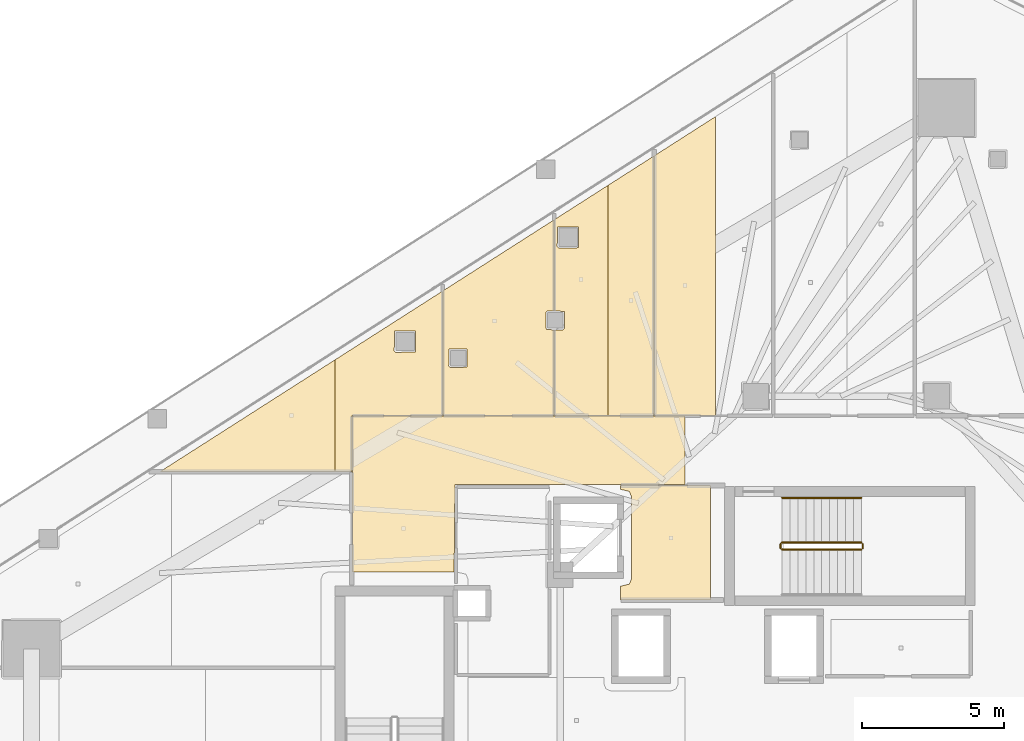
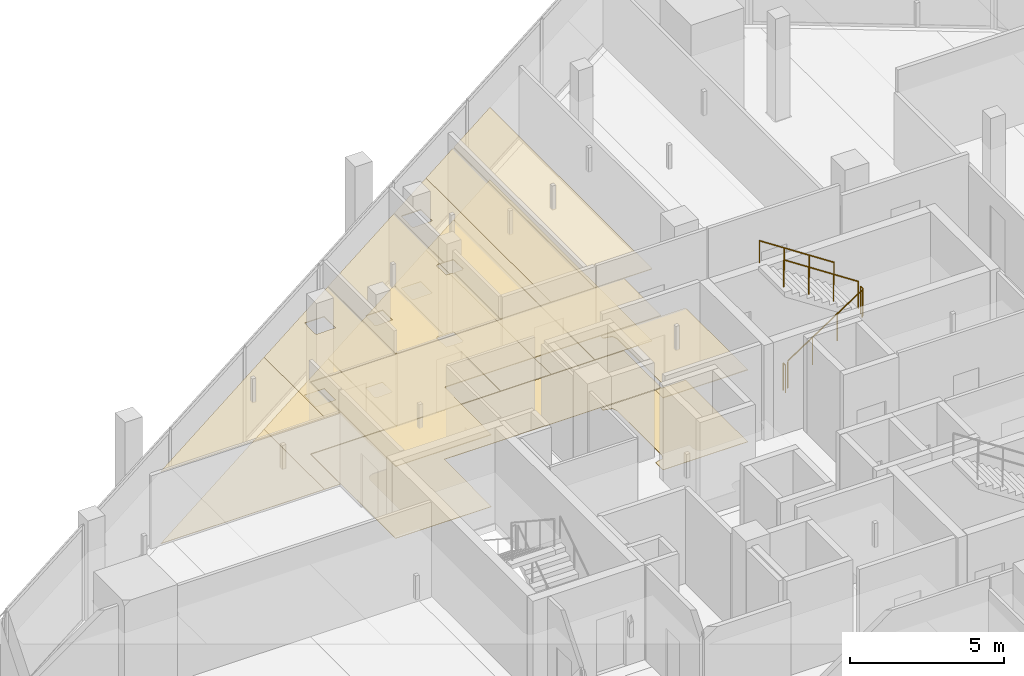
# One storey, part 32 of 33: 16 coverings, 5 railings.
"""IFC4 building model written with IfcOpenShell, lengths in metres."""

from ifc_helpers import new_model, si_unit, direction, frame, origin, origin_2d, place, context, subcontext, project, spatial, polyline, circle, outline, extrude, material, layer, layer_set, type_object, element, save


model = new_model("IFC4")

# Units and contexts
model_context = context("Model", 3, precision=1e-05, world=origin(), true_north=direction((0.0, 1.0)))
body_context = subcontext(model_context, "Body", "Model", "MODEL_VIEW")
ifc_project = project(units=[si_unit("LENGTHUNIT", "METRE"), si_unit("AREAUNIT", "SQUARE_METRE"), si_unit("VOLUMEUNIT", "CUBIC_METRE"), si_unit("PLANEANGLEUNIT", "RADIAN"), si_unit("MASSUNIT", "GRAM", prefix="KILO")], contexts=[model_context])

# Site, building, storey
site_placement = place(None, origin())
site = spatial("IfcSite", under=ifc_project, at=site_placement, CompositionType="ELEMENT")
building_placement = place(site_placement, origin())
building = spatial("IfcBuilding", under=site, at=building_placement, Name="Qorvath Tower", CompositionType="ELEMENT")
storey_placement = place(building_placement, frame((0.0, 0.0, 209.10009765625)))
storey = spatial("IfcBuildingStorey", under=building, at=storey_placement, Name="L48", CompositionType="ELEMENT", Elevation=209.10009765625)

# Coverings
ifc_material_1 = material(Name="Acoustic mineral fibre ceiling tile", Category="gypsum")
ifc_layer_1 = layer(ifc_material_1, 0.030029296875)
ifc_layer_set_1 = layer_set([ifc_layer_1], Name="COV-CEIL")
covering_type_1 = type_object("IfcCoveringType", Name="COV-CEIL", PredefinedType="CEILING", material=ifc_layer_set_1)
covering_1_placement = place(storey_placement, frame((0.0, 0.0, 2.849853515625)))
element("IfcCovering", 1, at=covering_1_placement, inside=storey, type_object=covering_type_1, Name="L48 Suspended Acoustic Ceiling 001", PredefinedType="CEILING", context=body_context, shape_type="SweptSolid", body=[
    extrude(outline(polyline([(-25.18994140625, 4.2548828125), (-25.18994140625, 8.294921875), (-28.375, 8.294921875), (-28.375, 8.159912109375), (-28.063232421875, 8.086669921875), (-27.989990234375, 7.909912109375), (-27.989990234375, 4.989990234375), (-28.063232421875, 4.813232421875), (-28.375, 4.739990234375), (-28.375, 4.2548828125), (-25.18994140625, 4.2548828125)])), origin(), (0.0, 0.0, 1.0), 0.030029296875),
])
covering_2_placement = place(storey_placement, frame((0.0, 0.0, 2.849853515625)))
element("IfcCovering", 2, at=covering_2_placement, inside=storey, type_object=covering_type_1, Name="L48 Suspended Acoustic Ceiling 008", PredefinedType="CEILING", context=body_context, shape_type="SweptSolid", body=[
    extrude(outline(polyline([(-26.09521484375, 8.324951171875), (-26.09521484375, 10.7451171875), (-37.844970703125, 10.7451171875), (-37.844970703125, 5.239990234375), (-34.2509765625, 5.239990234375), (-34.219970703125, 8.324951171875), (-26.09521484375, 8.324951171875)])), origin(), (0.0, 0.0, 1.0), 0.030029296875),
])
covering_3_placement = place(storey_placement, frame((0.0, 0.0, 2.849853515625)))
element("IfcCovering", 3, at=covering_3_placement, inside=storey, type_object=covering_type_1, Name="L48 Suspended Acoustic Ceiling 010", PredefinedType="CEILING", context=body_context, shape_type="SweptSolid", body=[
    extrude(outline(polyline([(-30.72607421875, 17.6728515625), (-34.64501953125, 15.16796875), (-34.64501953125, 10.762939453125), (-30.72607421875, 10.762939453125), (-30.72607421875, 13.789306640625), (-30.99462890625, 13.806884765625), (-31.01220703125, 14.3994140625), (-30.9521484375, 14.459228515625), (-30.72607421875, 14.459228515625), (-30.72607421875, 17.6728515625)]), holes=[polyline([(-34.421630859375, 13.10986328125), (-33.786865234375, 13.10986328125), (-33.786865234375, 12.47509765625), (-34.379150390625, 12.45751953125), (-34.439208984375, 12.517578125), (-34.421630859375, 13.10986328125)])]), origin(), (0.0, 0.0, 1.0), 0.030029296875),
])
covering_4_placement = place(storey_placement, frame((0.0, 0.0, 2.849853515625)))
element("IfcCovering", 4, at=covering_4_placement, inside=storey, type_object=covering_type_1, Name="L48 Suspended Acoustic Ceiling 011", PredefinedType="CEILING", context=body_context, shape_type="SweptSolid", body=[
    extrude(outline(polyline([(-28.82373046875, 10.762939453125), (-28.82373046875, 18.888671875), (-30.7080078125, 17.684326171875), (-30.7080078125, 14.459228515625), (-30.35986328125, 14.441650390625), (-30.34228515625, 13.849365234375), (-30.402099609375, 13.789306640625), (-30.7080078125, 13.789306640625), (-30.7080078125, 10.762939453125), (-28.82373046875, 10.762939453125)]), holes=[polyline([(-30.60986328125, 16.734619140625), (-30.59228515625, 17.427001953125), (-29.857421875, 17.427001953125), (-29.857421875, 16.692138671875), (-30.5498046875, 16.674560546875), (-30.60986328125, 16.734619140625)])]), origin(), (0.0, 0.0, 1.0), 0.030029296875),
])
covering_5_placement = place(storey_placement, frame((0.0, 0.0, 2.849853515625)))
element("IfcCovering", 5, at=covering_5_placement, inside=storey, type_object=covering_type_1, Name="L48 Suspended Acoustic Ceiling 012", PredefinedType="CEILING", context=body_context, shape_type="SweptSolid", body=[
    extrude(outline(polyline([(-27.186767578125, 19.934814453125), (-28.82373046875, 18.888671875), (-28.82373046875, 10.762939453125), (-27.186767578125, 10.762939453125), (-27.186767578125, 19.934814453125)])), origin(), (0.0, 0.0, 1.0), 0.030029296875),
])
covering_6_placement = place(storey_placement, frame((0.0, 0.0, 2.849853515625)))
element("IfcCovering", 6, at=covering_6_placement, inside=storey, type_object=covering_type_1, Name="L48 Suspended Acoustic Ceiling 013", PredefinedType="CEILING", context=body_context, shape_type="SweptSolid", body=[
    extrude(outline(polyline([(-27.168701171875, 10.762939453125), (-25.0205078125, 10.762939453125), (-25.0205078125, 21.319580078125), (-27.168701171875, 19.9462890625), (-27.168701171875, 10.762939453125)])), origin(), (0.0, 0.0, 1.0), 0.030029296875),
])
covering_7_placement = place(storey_placement, frame((0.0, 0.0, 2.849853515625)))
element("IfcCovering", 7, at=covering_7_placement, inside=storey, type_object=covering_type_1, Name="L48 Suspended Acoustic Ceiling 047", PredefinedType="CEILING", context=body_context, shape_type="SweptSolid", body=[
    extrude(outline(polyline([(-38.4599609375, 8.796630859375), (-38.4599609375, 12.729736328125), (-44.614013671875, 8.796630859375), (-38.4599609375, 8.796630859375)])), origin(), (0.0, 0.0, 1.0), 0.030029296875),
])
covering_8_placement = place(storey_placement, frame((0.0, 0.0, 2.849853515625)))
element("IfcCovering", 8, at=covering_8_placement, inside=storey, type_object=covering_type_1, Name="L48 Suspended Acoustic Ceiling 048", PredefinedType="CEILING", context=body_context, shape_type="SweptSolid", body=[
    extrude(outline(polyline([(-37.85791015625, 10.762939453125), (-34.6630859375, 10.762939453125), (-34.6630859375, 15.156494140625), (-38.4599609375, 12.729736328125), (-38.4599609375, 8.796630859375), (-37.863037109375, 8.796630859375), (-37.85791015625, 10.762939453125)]), holes=[polyline([(-36.36572265625, 13.055908203125), (-36.34814453125, 13.748291015625), (-35.61328125, 13.748291015625), (-35.61328125, 13.013427734375), (-36.3056640625, 12.995849609375), (-36.36572265625, 13.055908203125)])]), origin(), (0.0, 0.0, 1.0), 0.030029296875),
])
ifc_material_2 = material(Name="Low-VOC modular carpet tile", Category="textile")
ifc_layer_2 = layer(ifc_material_2, 0.014892578125)
ifc_layer_set_2 = layer_set([ifc_layer_2], Name="COV-FLOOR-CPT")
covering_type_2 = type_object("IfcCoveringType", Name="COV-FLOOR-CPT", PredefinedType="FLOORING", material=ifc_layer_set_2)
covering_9_placement = place(storey_placement, origin())
element("IfcCovering", 9, at=covering_9_placement, inside=storey, type_object=covering_type_2, Name="L48 Floor Finish 010", PredefinedType="FLOORING", context=body_context, shape_type="SweptSolid", body=[
    extrude(outline(polyline([(-30.72607421875, 17.6728515625), (-34.64501953125, 15.16796875), (-34.64501953125, 10.762939453125), (-30.72607421875, 10.762939453125), (-30.72607421875, 13.789306640625), (-30.99462890625, 13.806884765625), (-31.01220703125, 14.3994140625), (-30.9521484375, 14.459228515625), (-30.72607421875, 14.459228515625), (-30.72607421875, 17.6728515625)]), holes=[polyline([(-34.421630859375, 13.10986328125), (-33.786865234375, 13.10986328125), (-33.786865234375, 12.47509765625), (-34.379150390625, 12.45751953125), (-34.439208984375, 12.517578125), (-34.421630859375, 13.10986328125)])]), origin(), (0.0, 0.0, 1.0), 0.014892578125),
])
covering_10_placement = place(storey_placement, origin())
element("IfcCovering", 10, at=covering_10_placement, inside=storey, type_object=covering_type_2, Name="L48 Floor Finish 011", PredefinedType="FLOORING", context=body_context, shape_type="SweptSolid", body=[
    extrude(outline(polyline([(-28.82373046875, 10.762939453125), (-28.82373046875, 18.888671875), (-30.7080078125, 17.684326171875), (-30.7080078125, 14.459228515625), (-30.35986328125, 14.441650390625), (-30.34228515625, 13.849365234375), (-30.402099609375, 13.789306640625), (-30.7080078125, 13.789306640625), (-30.7080078125, 10.762939453125), (-28.82373046875, 10.762939453125)]), holes=[polyline([(-30.60986328125, 16.734619140625), (-30.59228515625, 17.427001953125), (-29.857421875, 17.427001953125), (-29.857421875, 16.692138671875), (-30.5498046875, 16.674560546875), (-30.60986328125, 16.734619140625)])]), origin(), (0.0, 0.0, 1.0), 0.014892578125),
])
covering_11_placement = place(storey_placement, origin())
element("IfcCovering", 11, at=covering_11_placement, inside=storey, type_object=covering_type_2, Name="L48 Floor Finish 012", PredefinedType="FLOORING", context=body_context, shape_type="SweptSolid", body=[
    extrude(outline(polyline([(-27.186767578125, 19.934814453125), (-28.82373046875, 18.888671875), (-28.82373046875, 10.762939453125), (-27.186767578125, 10.762939453125), (-27.186767578125, 19.934814453125)])), origin(), (0.0, 0.0, 1.0), 0.014892578125),
])
covering_12_placement = place(storey_placement, origin())
element("IfcCovering", 12, at=covering_12_placement, inside=storey, type_object=covering_type_2, Name="L48 Floor Finish 013", PredefinedType="FLOORING", context=body_context, shape_type="SweptSolid", body=[
    extrude(outline(polyline([(-27.168701171875, 10.762939453125), (-25.0205078125, 10.762939453125), (-25.0205078125, 21.319580078125), (-27.168701171875, 19.9462890625), (-27.168701171875, 10.762939453125)])), origin(), (0.0, 0.0, 1.0), 0.014892578125),
])
covering_13_placement = place(storey_placement, origin())
element("IfcCovering", 13, at=covering_13_placement, inside=storey, type_object=covering_type_2, Name="L48 Floor Finish 047", PredefinedType="FLOORING", context=body_context, shape_type="SweptSolid", body=[
    extrude(outline(polyline([(-38.4599609375, 8.796630859375), (-38.4599609375, 12.729736328125), (-44.614013671875, 8.796630859375), (-38.4599609375, 8.796630859375)])), origin(), (0.0, 0.0, 1.0), 0.014892578125),
])
covering_14_placement = place(storey_placement, origin())
element("IfcCovering", 14, at=covering_14_placement, inside=storey, type_object=covering_type_2, Name="L48 Floor Finish 048", PredefinedType="FLOORING", context=body_context, shape_type="SweptSolid", body=[
    extrude(outline(polyline([(-37.85791015625, 10.762939453125), (-34.6630859375, 10.762939453125), (-34.6630859375, 15.156494140625), (-38.4599609375, 12.729736328125), (-38.4599609375, 8.796630859375), (-37.863037109375, 8.796630859375), (-37.85791015625, 10.762939453125)]), holes=[polyline([(-36.36572265625, 13.055908203125), (-36.34814453125, 13.748291015625), (-35.61328125, 13.748291015625), (-35.61328125, 13.013427734375), (-36.3056640625, 12.995849609375), (-36.36572265625, 13.055908203125)])]), origin(), (0.0, 0.0, 1.0), 0.014892578125),
])
ifc_material_3 = material(Name="Polished epoxy terrazzo flooring", Category="concrete")
ifc_layer_3 = layer(ifc_material_3, 0.02001953125)
ifc_layer_set_3 = layer_set([ifc_layer_3], Name="COV-FLOOR-TRZ")
covering_type_3 = type_object("IfcCoveringType", Name="COV-FLOOR-TRZ", PredefinedType="FLOORING", material=ifc_layer_set_3)
covering_15_placement = place(storey_placement, origin())
element("IfcCovering", 15, at=covering_15_placement, inside=storey, type_object=covering_type_3, Name="L48 Floor Finish 001", PredefinedType="FLOORING", context=body_context, shape_type="SweptSolid", body=[
    extrude(outline(polyline([(-25.18994140625, 4.2548828125), (-25.18994140625, 8.294921875), (-28.375, 8.294921875), (-28.375, 8.159912109375), (-28.063232421875, 8.086669921875), (-27.989990234375, 7.909912109375), (-27.989990234375, 4.989990234375), (-28.063232421875, 4.813232421875), (-28.375, 4.739990234375), (-28.375, 4.2548828125), (-25.18994140625, 4.2548828125)])), origin(), (0.0, 0.0, 1.0), 0.014892578125),
])
covering_16_placement = place(storey_placement, origin())
element("IfcCovering", 16, at=covering_16_placement, inside=storey, type_object=covering_type_3, Name="L48 Floor Finish 008", PredefinedType="FLOORING", context=body_context, shape_type="SweptSolid", body=[
    extrude(outline(polyline([(-26.09521484375, 8.324951171875), (-26.09521484375, 10.7451171875), (-37.844970703125, 10.7451171875), (-37.844970703125, 5.239990234375), (-34.2509765625, 5.239990234375), (-34.219970703125, 8.324951171875), (-26.09521484375, 8.324951171875)])), origin(), (0.0, 0.0, 1.0), 0.014892578125),
])

# Railings
ifc_material_4 = material(Name="Painted galvanised steel", Category="steel")
railing_type_1 = type_object("IfcRailingType", Name="RL-STR-GRD", PredefinedType="GUARDRAIL", material=ifc_material_4)
railing_1_placement = place(storey_placement, frame((-22.669921875, 6.030029296875, 0.18408203125)))
element("IfcRailing", 17, at=railing_1_placement, inside=storey, type_object=railing_type_1, Name="L48 TS1 stair guard 1", PredefinedType="GUARDRAIL", context=body_context, shape_type="SweptSolid", body=[
    extrude(circle(Radius=0.02392578125, at=origin_2d()), frame((0.0, 0.0, 1.076171875), z_axis=(0.835575518608, 0.0, 0.549375602573), x_axis=(0.0, 1.0, 0.0)), (0.0, 0.0, 1.0), 3.350830078125),
    extrude(circle(Radius=0.02099609375, at=origin_2d()), origin(), (0.0, 0.0, 1.0), 1.052001953125),
    extrude(circle(Radius=0.02099609375, at=origin_2d()), frame((0.933349609375, 0.0, 0.613525390625)), (0.0, 0.0, 1.0), 1.052001953125),
    extrude(circle(Radius=0.02099609375, at=origin_2d()), frame((1.866455078125, 0.0, 1.227294921875)), (0.0, 0.0, 1.0), 1.052001953125),
    extrude(circle(Radius=0.02099609375, at=origin_2d()), frame((2.7998046875, 0.0, 1.8408203125)), (0.0, 0.0, 1.0), 1.052001953125),
])
railing_2_placement = place(storey_placement, frame((-19.820068359375, 6.080078125, 2.02490234375)))
element("IfcRailing", 18, at=railing_2_placement, inside=storey, type_object=railing_type_1, Name="L48 TS1 stair guard 2", PredefinedType="GUARDRAIL", context=body_context, shape_type="SweptSolid", body=[
    extrude(circle(Radius=0.02392578125, at=origin_2d()), frame((0.0, 0.0, 1.076171875), z_axis=(0.0, 1.0, 0.0), x_axis=(-1.0, 0.0, 0.0)), (0.0, 0.0, 1.0), 0.14990234375),
    extrude(circle(Radius=0.02099609375, at=origin_2d()), origin(), (0.0, 0.0, 1.0), 1.052001953125),
    extrude(circle(Radius=0.02099609375, at=origin_2d()), frame((0.0, 0.14990234375, 0.0)), (0.0, 0.0, 1.0), 1.052001953125),
])
railing_3_placement = place(storey_placement, frame((-19.8701171875, 6.280029296875, 2.208984375)))
element("IfcRailing", 19, at=railing_3_placement, inside=storey, type_object=railing_type_1, Name="L48 TS1 stair guard 3", PredefinedType="GUARDRAIL", context=body_context, shape_type="SweptSolid", body=[
    extrude(circle(Radius=0.02392578125, at=origin_2d()), frame((0.0, 0.0, 1.076171875), z_axis=(-0.835575518608, 0.0, 0.549375602573), x_axis=(0.0, -1.0, 0.0)), (0.0, 0.0, 1.0), 3.350830078125),
    extrude(circle(Radius=0.02099609375, at=origin_2d()), origin(), (0.0, 0.0, 1.0), 1.052001953125),
    extrude(circle(Radius=0.02099609375, at=origin_2d()), frame((-0.933349609375, 0.0, 0.613525390625)), (0.0, 0.0, 1.0), 1.052001953125),
    extrude(circle(Radius=0.02099609375, at=origin_2d()), frame((-1.866455078125, 0.0, 1.227294921875)), (0.0, 0.0, 1.0), 1.052001953125),
    extrude(circle(Radius=0.02099609375, at=origin_2d()), frame((-2.7998046875, 0.0, 1.8408203125)), (0.0, 0.0, 1.0), 1.052001953125),
])
railing_4_placement = place(storey_placement, frame((-22.719970703125, 6.080078125, 0.0)))
element("IfcRailing", 20, at=railing_4_placement, inside=storey, type_object=railing_type_1, Name="L48 TS1 stair guard 4", PredefinedType="GUARDRAIL", context=body_context, shape_type="SweptSolid", body=[
    extrude(circle(Radius=0.02392578125, at=origin_2d()), frame((0.0, 0.0, 1.076171875), z_axis=(0.0, 1.0, 0.0), x_axis=(-1.0, 0.0, 0.0)), (0.0, 0.0, 1.0), 0.14990234375),
    extrude(circle(Radius=0.02099609375, at=origin_2d()), origin(), (0.0, 0.0, 1.0), 1.052001953125),
    extrude(circle(Radius=0.02099609375, at=origin_2d()), frame((0.0, 0.14990234375, 0.0)), (0.0, 0.0, 1.0), 1.052001953125),
])
ifc_material_5 = material(Name="Brushed stainless steel AISI 304", Category="steel")
railing_type_2 = type_object("IfcRailingType", Name="RL-STR-HND", PredefinedType="HANDRAIL", material=ifc_material_5)
railing_5_placement = place(storey_placement, frame((-19.8701171875, 7.860107421875, 2.208984375)))
element("IfcRailing", 21, at=railing_5_placement, inside=storey, type_object=railing_type_2, Name="L48 TS1 stair handrail 2", PredefinedType="HANDRAIL", context=body_context, shape_type="SweptSolid", body=[
    extrude(circle(Radius=0.02392578125, at=origin_2d()), frame((0.0, 0.0, 0.8759765625), z_axis=(-0.835575518608, 0.0, 0.549375602573), x_axis=(0.0, -1.0, 0.0)), (0.0, 0.0, 1.0), 3.350830078125),
    extrude(circle(Radius=0.02099609375, at=origin_2d()), origin(), (0.0, 0.0, 1.0), 0.851806640625),
    extrude(circle(Radius=0.02099609375, at=origin_2d()), frame((-0.933349609375, 0.0, 0.613525390625)), (0.0, 0.0, 1.0), 0.851806640625),
    extrude(circle(Radius=0.02099609375, at=origin_2d()), frame((-1.866455078125, 0.0, 1.227294921875)), (0.0, 0.0, 1.0), 0.851806640625),
    extrude(circle(Radius=0.02099609375, at=origin_2d()), frame((-2.7998046875, 0.0, 1.8408203125)), (0.0, 0.0, 1.0), 0.851806640625),
])

save(model, "model.ifc")
